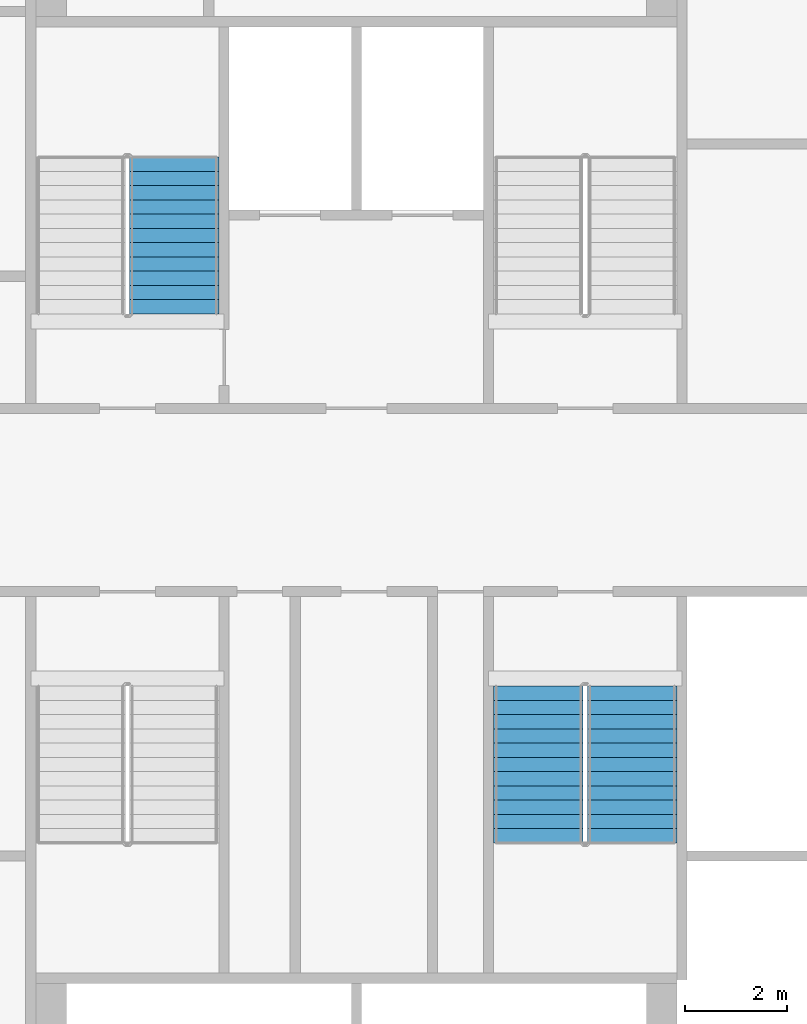
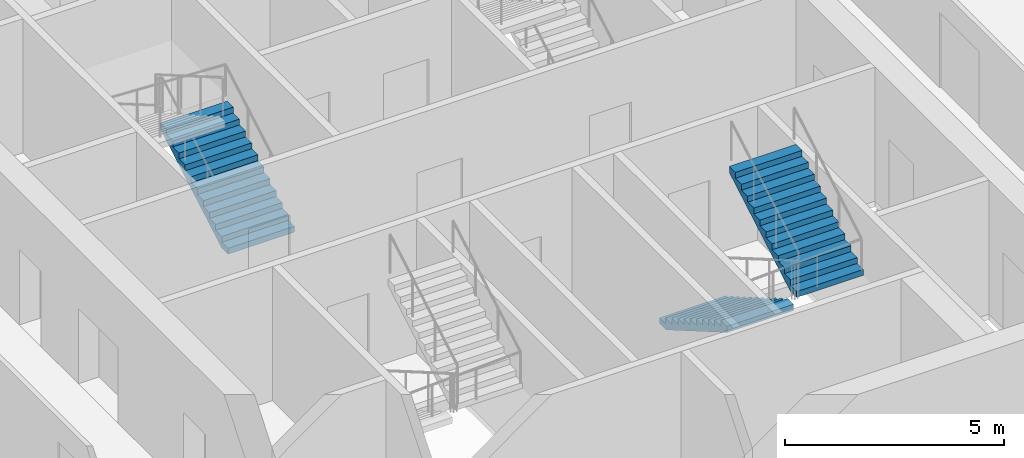
# One storey, part 16 of 22: 3 stair flights, 2 elements without a shape of their own.
"""IFC4 building model written with IfcOpenShell, lengths in metres."""

from ifc_helpers import new_model, si_unit, direction, frame, origin, place, context, subcontext, project, spatial, faceted_brep, material, type_object, element, aggregate, save


model = new_model("IFC4")

# Units and contexts
model_context = context("Model", 3, precision=1e-05, world=origin(), true_north=direction((0.0, 1.0)))
body_context = subcontext(model_context, "Body", "Model", "MODEL_VIEW")
ifc_project = project(units=[si_unit("LENGTHUNIT", "METRE"), si_unit("AREAUNIT", "SQUARE_METRE"), si_unit("VOLUMEUNIT", "CUBIC_METRE"), si_unit("PLANEANGLEUNIT", "RADIAN"), si_unit("MASSUNIT", "GRAM", prefix="KILO")], contexts=[model_context])

# Site, building, storey
site_placement = place(None, origin())
site = spatial("IfcSite", under=ifc_project, at=site_placement, CompositionType="ELEMENT")
building_placement = place(site_placement, origin())
building = spatial("IfcBuilding", under=site, at=building_placement, Name="Tarsis Ring Headquarters", CompositionType="ELEMENT")
storey_placement = place(building_placement, frame((0.0, 0.0, 200.39990234375)))
storey = spatial("IfcBuildingStorey", under=building, at=storey_placement, Name="L46", CompositionType="ELEMENT", Elevation=200.39990234375)

# Stair, stair flight
ifc_material_1 = material(Name="Core stair 1760")
stair_type = type_object("IfcStairType", Name="Core stair 1760", PredefinedType="HALF_TURN_STAIR", material=ifc_material_1)
stair_1_placement = place(storey_placement, origin())
stair_1 = element("IfcStair", 1, at=stair_1_placement, inside=storey, type_object=stair_type, Name="L46 Firefighting stair", PredefinedType="HALF_TURN_STAIR")
ifc_material_2 = material(Name="Concrete C40/50", Category="concrete")
stair_flight_type = type_object("IfcStairFlightType", Name="Core stair flight 1760", PredefinedType="STRAIGHT", material=ifc_material_2)
stair_flight_1_placement = place(storey_placement, frame((-3.580078125, 3.659912109375, 0.0), z_axis=(0.0, 0.0, 1.0), x_axis=(0.0, 1.0, 0.0)))
stair_flight_1 = element("IfcStairFlight", 2, at=stair_flight_1_placement, type_object=stair_flight_type, Name="Stair ST1 flight 1", NumberOfRisers=12, NumberOfTreads=11, PredefinedType="STRAIGHT", RiserHeight=0.1625, TreadLength=0.28, context=body_context, shape_type="Brep", body=[
    faceted_brep([(0.0, 0.8798828125, 0.0), (0.0, 0.8798828125, 0.16259765625), (0.280029296875, 0.8798828125, 0.16259765625), (0.280029296875, 0.8798828125, 0.324951171875), (0.56005859375, 0.8798828125, 0.324951171875), (0.56005859375, 0.8798828125, 0.487548828125), (0.840087890625, 0.8798828125, 0.487548828125), (0.840087890625, 0.8798828125, 0.64990234375), (1.1201171875, 0.8798828125, 0.64990234375), (1.1201171875, 0.8798828125, 0.8125), (1.39990234375, 0.8798828125, 0.8125), (1.39990234375, 0.8798828125, 0.97509765625), (1.679931640625, 0.8798828125, 0.97509765625), (1.679931640625, 0.8798828125, 1.137451171875), (1.9599609375, 0.8798828125, 1.137451171875), (1.9599609375, 0.8798828125, 1.300048828125), (2.239990234375, 0.8798828125, 1.300048828125), (2.239990234375, 0.8798828125, 1.46240234375), (2.52001953125, 0.8798828125, 1.46240234375), (2.52001953125, 0.8798828125, 1.625), (2.800048828125, 0.8798828125, 1.625), (2.800048828125, 0.8798828125, 1.78759765625), (3.080078125, 0.8798828125, 1.78759765625), (3.080078125, 0.8798828125, 1.6142578125), (0.298583984375, 0.8798828125, 0.0), (0.298583984375, -0.8798828125, 0.0), (3.080078125, -0.8798828125, 1.6142578125), (3.080078125, -0.8798828125, 1.78759765625), (2.800048828125, -0.8798828125, 1.78759765625), (2.800048828125, -0.8798828125, 1.625), (2.52001953125, -0.8798828125, 1.625), (2.52001953125, -0.8798828125, 1.46240234375), (2.239990234375, -0.8798828125, 1.46240234375), (2.239990234375, -0.8798828125, 1.300048828125), (1.9599609375, -0.8798828125, 1.300048828125), (1.9599609375, -0.8798828125, 1.137451171875), (1.679931640625, -0.8798828125, 1.137451171875), (1.679931640625, -0.8798828125, 0.97509765625), (1.39990234375, -0.8798828125, 0.97509765625), (1.39990234375, -0.8798828125, 0.8125), (1.1201171875, -0.8798828125, 0.8125), (1.1201171875, -0.8798828125, 0.64990234375), (0.840087890625, -0.8798828125, 0.64990234375), (0.840087890625, -0.8798828125, 0.487548828125), (0.56005859375, -0.8798828125, 0.487548828125), (0.56005859375, -0.8798828125, 0.324951171875), (0.280029296875, -0.8798828125, 0.324951171875), (0.280029296875, -0.8798828125, 0.16259765625), (0.0, -0.8798828125, 0.16259765625), (0.0, -0.8798828125, 0.0), (0.0, -0.43994140625, 0.16259765625), (0.0, -0.43994140625, 0.0), (0.0, 0.0, 0.16259765625), (0.0, 0.0, 0.0), (0.0, 0.43994140625, 0.16259765625), (0.0, 0.43994140625, 0.0), (0.280029296875, -0.43994140625, 0.16259765625), (0.280029296875, 0.0, 0.16259765625), (0.280029296875, 0.43994140625, 0.16259765625), (0.280029296875, -0.43994140625, 0.324951171875), (0.280029296875, 0.0, 0.324951171875), (0.280029296875, 0.43994140625, 0.324951171875), (0.56005859375, -0.43994140625, 0.324951171875), (0.56005859375, 0.0, 0.324951171875), (0.56005859375, 0.43994140625, 0.324951171875), (0.56005859375, -0.43994140625, 0.487548828125), (0.56005859375, 0.0, 0.487548828125), (0.56005859375, 0.43994140625, 0.487548828125), (0.840087890625, -0.43994140625, 0.487548828125), (0.840087890625, 0.0, 0.487548828125), (0.840087890625, 0.43994140625, 0.487548828125), (0.840087890625, -0.43994140625, 0.64990234375), (0.840087890625, 0.0, 0.64990234375), (0.840087890625, 0.43994140625, 0.64990234375), (1.1201171875, -0.43994140625, 0.64990234375), (1.1201171875, 0.0, 0.64990234375), (1.1201171875, 0.43994140625, 0.64990234375), (1.1201171875, -0.43994140625, 0.8125), (1.1201171875, 0.0, 0.8125), (1.1201171875, 0.43994140625, 0.8125), (1.39990234375, -0.43994140625, 0.8125), (1.39990234375, 0.0, 0.8125), (1.39990234375, 0.43994140625, 0.8125), (1.39990234375, -0.43994140625, 0.97509765625), (1.39990234375, 0.0, 0.97509765625), (1.39990234375, 0.43994140625, 0.97509765625), (1.679931640625, -0.43994140625, 0.97509765625), (1.679931640625, 0.0, 0.97509765625), (1.679931640625, 0.43994140625, 0.97509765625), (1.679931640625, -0.43994140625, 1.137451171875), (1.679931640625, 0.0, 1.137451171875), (1.679931640625, 0.43994140625, 1.137451171875), (1.9599609375, -0.43994140625, 1.137451171875), (1.9599609375, 0.0, 1.137451171875), (1.9599609375, 0.43994140625, 1.137451171875), (1.9599609375, -0.43994140625, 1.300048828125), (1.9599609375, 0.0, 1.300048828125), (1.9599609375, 0.43994140625, 1.300048828125), (2.239990234375, -0.43994140625, 1.300048828125), (2.239990234375, 0.0, 1.300048828125), (2.239990234375, 0.43994140625, 1.300048828125), (2.239990234375, -0.43994140625, 1.46240234375), (2.239990234375, 0.0, 1.46240234375), (2.239990234375, 0.43994140625, 1.46240234375), (2.52001953125, -0.43994140625, 1.46240234375), (2.52001953125, 0.0, 1.46240234375), (2.52001953125, 0.43994140625, 1.46240234375), (2.52001953125, -0.43994140625, 1.625), (2.52001953125, 0.0, 1.625), (2.52001953125, 0.43994140625, 1.625), (2.800048828125, -0.43994140625, 1.625), (2.800048828125, 0.0, 1.625), (2.800048828125, 0.43994140625, 1.625), (2.800048828125, -0.43994140625, 1.78759765625), (2.800048828125, 0.0, 1.78759765625), (2.800048828125, 0.43994140625, 1.78759765625), (3.080078125, -0.43994140625, 1.78759765625), (3.080078125, 0.0, 1.78759765625), (3.080078125, 0.43994140625, 1.78759765625), (3.080078125, -0.43994140625, 1.6142578125), (3.080078125, 0.0, 1.6142578125), (3.080078125, 0.43994140625, 1.6142578125), (0.298583984375, -0.43994140625, 0.0), (0.298583984375, 0.0, 0.0), (0.298583984375, 0.43994140625, 0.0)], [[[0, 1, 2, 3, 4, 5, 6, 7, 8, 9, 10, 11, 12, 13, 14, 15, 16, 17, 18, 19, 20, 21, 22, 23, 24]], [[25, 26, 27, 28, 29, 30, 31, 32, 33, 34, 35, 36, 37, 38, 39, 40, 41, 42, 43, 44, 45, 46, 47, 48, 49]], [[49, 48, 50, 51]], [[51, 50, 52, 53]], [[53, 52, 54, 55]], [[55, 54, 1, 0]], [[48, 47, 56, 50]], [[50, 56, 57, 52]], [[52, 57, 58, 54]], [[54, 58, 2, 1]], [[47, 46, 59, 56]], [[56, 59, 60, 57]], [[57, 60, 61, 58]], [[58, 61, 3, 2]], [[46, 45, 62, 59]], [[59, 62, 63, 60]], [[60, 63, 64, 61]], [[61, 64, 4, 3]], [[45, 44, 65, 62]], [[62, 65, 66, 63]], [[63, 66, 67, 64]], [[64, 67, 5, 4]], [[44, 43, 68, 65]], [[65, 68, 69, 66]], [[66, 69, 70, 67]], [[67, 70, 6, 5]], [[43, 42, 71, 68]], [[68, 71, 72, 69]], [[69, 72, 73, 70]], [[70, 73, 7, 6]], [[42, 41, 74, 71]], [[71, 74, 75, 72]], [[72, 75, 76, 73]], [[73, 76, 8, 7]], [[41, 40, 77, 74]], [[74, 77, 78, 75]], [[75, 78, 79, 76]], [[76, 79, 9, 8]], [[40, 39, 80, 77]], [[77, 80, 81, 78]], [[78, 81, 82, 79]], [[79, 82, 10, 9]], [[39, 38, 83, 80]], [[80, 83, 84, 81]], [[81, 84, 85, 82]], [[82, 85, 11, 10]], [[38, 37, 86, 83]], [[83, 86, 87, 84]], [[84, 87, 88, 85]], [[85, 88, 12, 11]], [[37, 36, 89, 86]], [[86, 89, 90, 87]], [[87, 90, 91, 88]], [[88, 91, 13, 12]], [[36, 35, 92, 89]], [[89, 92, 93, 90]], [[90, 93, 94, 91]], [[91, 94, 14, 13]], [[35, 34, 95, 92]], [[92, 95, 96, 93]], [[93, 96, 97, 94]], [[94, 97, 15, 14]], [[34, 33, 98, 95]], [[95, 98, 99, 96]], [[96, 99, 100, 97]], [[97, 100, 16, 15]], [[33, 32, 101, 98]], [[98, 101, 102, 99]], [[99, 102, 103, 100]], [[100, 103, 17, 16]], [[32, 31, 104, 101]], [[101, 104, 105, 102]], [[102, 105, 106, 103]], [[103, 106, 18, 17]], [[31, 30, 107, 104]], [[104, 107, 108, 105]], [[105, 108, 109, 106]], [[106, 109, 19, 18]], [[30, 29, 110, 107]], [[107, 110, 111, 108]], [[108, 111, 112, 109]], [[109, 112, 20, 19]], [[29, 28, 113, 110]], [[110, 113, 114, 111]], [[111, 114, 115, 112]], [[112, 115, 21, 20]], [[28, 27, 116, 113]], [[113, 116, 117, 114]], [[114, 117, 118, 115]], [[115, 118, 22, 21]], [[27, 26, 119, 116]], [[116, 119, 120, 117]], [[117, 120, 121, 118]], [[118, 121, 23, 22]], [[26, 25, 122, 119]], [[119, 122, 123, 120]], [[120, 123, 124, 121]], [[121, 124, 24, 23]], [[25, 49, 51, 122]], [[122, 51, 53, 123]], [[123, 53, 55, 124]], [[124, 55, 0, 24]]]),
])
aggregate(stair_1, [stair_flight_1])

# Stair, stair flights
stair_2_placement = place(storey_placement, origin())
stair_2 = element("IfcStair", 3, at=stair_2_placement, inside=storey, type_object=stair_type, Name="L46 Exit stair D", PredefinedType="HALF_TURN_STAIR")
stair_flight_2_placement = place(storey_placement, frame((3.580078125, -3.659912109375, 0.0), z_axis=(0.0, 0.0, 1.0), x_axis=(0.0, -1.0, 0.0)))
stair_flight_2 = element("IfcStairFlight", 4, at=stair_flight_2_placement, type_object=stair_flight_type, Name="Stair ST4 flight 1", NumberOfRisers=12, NumberOfTreads=11, PredefinedType="STRAIGHT", RiserHeight=0.1625, TreadLength=0.28, context=body_context, shape_type="Brep", body=[
    faceted_brep([(0.0, 0.8798828125, 0.0), (0.0, 0.8798828125, 0.16259765625), (0.280029296875, 0.8798828125, 0.16259765625), (0.280029296875, 0.8798828125, 0.324951171875), (0.56005859375, 0.8798828125, 0.324951171875), (0.56005859375, 0.8798828125, 0.487548828125), (0.840087890625, 0.8798828125, 0.487548828125), (0.840087890625, 0.8798828125, 0.64990234375), (1.1201171875, 0.8798828125, 0.64990234375), (1.1201171875, 0.8798828125, 0.8125), (1.39990234375, 0.8798828125, 0.8125), (1.39990234375, 0.8798828125, 0.97509765625), (1.679931640625, 0.8798828125, 0.97509765625), (1.679931640625, 0.8798828125, 1.137451171875), (1.9599609375, 0.8798828125, 1.137451171875), (1.9599609375, 0.8798828125, 1.300048828125), (2.239990234375, 0.8798828125, 1.300048828125), (2.239990234375, 0.8798828125, 1.46240234375), (2.52001953125, 0.8798828125, 1.46240234375), (2.52001953125, 0.8798828125, 1.625), (2.800048828125, 0.8798828125, 1.625), (2.800048828125, 0.8798828125, 1.78759765625), (3.080078125, 0.8798828125, 1.78759765625), (3.080078125, 0.8798828125, 1.6142578125), (0.298583984375, 0.8798828125, 0.0), (0.298583984375, -0.8798828125, 0.0), (3.080078125, -0.8798828125, 1.6142578125), (3.080078125, -0.8798828125, 1.78759765625), (2.800048828125, -0.8798828125, 1.78759765625), (2.800048828125, -0.8798828125, 1.625), (2.52001953125, -0.8798828125, 1.625), (2.52001953125, -0.8798828125, 1.46240234375), (2.239990234375, -0.8798828125, 1.46240234375), (2.239990234375, -0.8798828125, 1.300048828125), (1.9599609375, -0.8798828125, 1.300048828125), (1.9599609375, -0.8798828125, 1.137451171875), (1.679931640625, -0.8798828125, 1.137451171875), (1.679931640625, -0.8798828125, 0.97509765625), (1.39990234375, -0.8798828125, 0.97509765625), (1.39990234375, -0.8798828125, 0.8125), (1.1201171875, -0.8798828125, 0.8125), (1.1201171875, -0.8798828125, 0.64990234375), (0.840087890625, -0.8798828125, 0.64990234375), (0.840087890625, -0.8798828125, 0.487548828125), (0.56005859375, -0.8798828125, 0.487548828125), (0.56005859375, -0.8798828125, 0.324951171875), (0.280029296875, -0.8798828125, 0.324951171875), (0.280029296875, -0.8798828125, 0.16259765625), (0.0, -0.8798828125, 0.16259765625), (0.0, -0.8798828125, 0.0), (0.0, -0.43994140625, 0.16259765625), (0.0, -0.43994140625, 0.0), (0.0, 0.0, 0.16259765625), (0.0, 0.0, 0.0), (0.0, 0.43994140625, 0.16259765625), (0.0, 0.43994140625, 0.0), (0.280029296875, -0.43994140625, 0.16259765625), (0.280029296875, 0.0, 0.16259765625), (0.280029296875, 0.43994140625, 0.16259765625), (0.280029296875, -0.43994140625, 0.324951171875), (0.280029296875, 0.0, 0.324951171875), (0.280029296875, 0.43994140625, 0.324951171875), (0.56005859375, -0.43994140625, 0.324951171875), (0.56005859375, 0.0, 0.324951171875), (0.56005859375, 0.43994140625, 0.324951171875), (0.56005859375, -0.43994140625, 0.487548828125), (0.56005859375, 0.0, 0.487548828125), (0.56005859375, 0.43994140625, 0.487548828125), (0.840087890625, -0.43994140625, 0.487548828125), (0.840087890625, 0.0, 0.487548828125), (0.840087890625, 0.43994140625, 0.487548828125), (0.840087890625, -0.43994140625, 0.64990234375), (0.840087890625, 0.0, 0.64990234375), (0.840087890625, 0.43994140625, 0.64990234375), (1.1201171875, -0.43994140625, 0.64990234375), (1.1201171875, 0.0, 0.64990234375), (1.1201171875, 0.43994140625, 0.64990234375), (1.1201171875, -0.43994140625, 0.8125), (1.1201171875, 0.0, 0.8125), (1.1201171875, 0.43994140625, 0.8125), (1.39990234375, -0.43994140625, 0.8125), (1.39990234375, 0.0, 0.8125), (1.39990234375, 0.43994140625, 0.8125), (1.39990234375, -0.43994140625, 0.97509765625), (1.39990234375, 0.0, 0.97509765625), (1.39990234375, 0.43994140625, 0.97509765625), (1.679931640625, -0.43994140625, 0.97509765625), (1.679931640625, 0.0, 0.97509765625), (1.679931640625, 0.43994140625, 0.97509765625), (1.679931640625, -0.43994140625, 1.137451171875), (1.679931640625, 0.0, 1.137451171875), (1.679931640625, 0.43994140625, 1.137451171875), (1.9599609375, -0.43994140625, 1.137451171875), (1.9599609375, 0.0, 1.137451171875), (1.9599609375, 0.43994140625, 1.137451171875), (1.9599609375, -0.43994140625, 1.300048828125), (1.9599609375, 0.0, 1.300048828125), (1.9599609375, 0.43994140625, 1.300048828125), (2.239990234375, -0.43994140625, 1.300048828125), (2.239990234375, 0.0, 1.300048828125), (2.239990234375, 0.43994140625, 1.300048828125), (2.239990234375, -0.43994140625, 1.46240234375), (2.239990234375, 0.0, 1.46240234375), (2.239990234375, 0.43994140625, 1.46240234375), (2.52001953125, -0.43994140625, 1.46240234375), (2.52001953125, 0.0, 1.46240234375), (2.52001953125, 0.43994140625, 1.46240234375), (2.52001953125, -0.43994140625, 1.625), (2.52001953125, 0.0, 1.625), (2.52001953125, 0.43994140625, 1.625), (2.800048828125, -0.43994140625, 1.625), (2.800048828125, 0.0, 1.625), (2.800048828125, 0.43994140625, 1.625), (2.800048828125, -0.43994140625, 1.78759765625), (2.800048828125, 0.0, 1.78759765625), (2.800048828125, 0.43994140625, 1.78759765625), (3.080078125, -0.43994140625, 1.78759765625), (3.080078125, 0.0, 1.78759765625), (3.080078125, 0.43994140625, 1.78759765625), (3.080078125, -0.43994140625, 1.6142578125), (3.080078125, 0.0, 1.6142578125), (3.080078125, 0.43994140625, 1.6142578125), (0.298583984375, -0.43994140625, 0.0), (0.298583984375, 0.0, 0.0), (0.298583984375, 0.43994140625, 0.0)], [[[0, 1, 2, 3, 4, 5, 6, 7, 8, 9, 10, 11, 12, 13, 14, 15, 16, 17, 18, 19, 20, 21, 22, 23, 24]], [[25, 26, 27, 28, 29, 30, 31, 32, 33, 34, 35, 36, 37, 38, 39, 40, 41, 42, 43, 44, 45, 46, 47, 48, 49]], [[49, 48, 50, 51]], [[51, 50, 52, 53]], [[53, 52, 54, 55]], [[55, 54, 1, 0]], [[48, 47, 56, 50]], [[50, 56, 57, 52]], [[52, 57, 58, 54]], [[54, 58, 2, 1]], [[47, 46, 59, 56]], [[56, 59, 60, 57]], [[57, 60, 61, 58]], [[58, 61, 3, 2]], [[46, 45, 62, 59]], [[59, 62, 63, 60]], [[60, 63, 64, 61]], [[61, 64, 4, 3]], [[45, 44, 65, 62]], [[62, 65, 66, 63]], [[63, 66, 67, 64]], [[64, 67, 5, 4]], [[44, 43, 68, 65]], [[65, 68, 69, 66]], [[66, 69, 70, 67]], [[67, 70, 6, 5]], [[43, 42, 71, 68]], [[68, 71, 72, 69]], [[69, 72, 73, 70]], [[70, 73, 7, 6]], [[42, 41, 74, 71]], [[71, 74, 75, 72]], [[72, 75, 76, 73]], [[73, 76, 8, 7]], [[41, 40, 77, 74]], [[74, 77, 78, 75]], [[75, 78, 79, 76]], [[76, 79, 9, 8]], [[40, 39, 80, 77]], [[77, 80, 81, 78]], [[78, 81, 82, 79]], [[79, 82, 10, 9]], [[39, 38, 83, 80]], [[80, 83, 84, 81]], [[81, 84, 85, 82]], [[82, 85, 11, 10]], [[38, 37, 86, 83]], [[83, 86, 87, 84]], [[84, 87, 88, 85]], [[85, 88, 12, 11]], [[37, 36, 89, 86]], [[86, 89, 90, 87]], [[87, 90, 91, 88]], [[88, 91, 13, 12]], [[36, 35, 92, 89]], [[89, 92, 93, 90]], [[90, 93, 94, 91]], [[91, 94, 14, 13]], [[35, 34, 95, 92]], [[92, 95, 96, 93]], [[93, 96, 97, 94]], [[94, 97, 15, 14]], [[34, 33, 98, 95]], [[95, 98, 99, 96]], [[96, 99, 100, 97]], [[97, 100, 16, 15]], [[33, 32, 101, 98]], [[98, 101, 102, 99]], [[99, 102, 103, 100]], [[100, 103, 17, 16]], [[32, 31, 104, 101]], [[101, 104, 105, 102]], [[102, 105, 106, 103]], [[103, 106, 18, 17]], [[31, 30, 107, 104]], [[104, 107, 108, 105]], [[105, 108, 109, 106]], [[106, 109, 19, 18]], [[30, 29, 110, 107]], [[107, 110, 111, 108]], [[108, 111, 112, 109]], [[109, 112, 20, 19]], [[29, 28, 113, 110]], [[110, 113, 114, 111]], [[111, 114, 115, 112]], [[112, 115, 21, 20]], [[28, 27, 116, 113]], [[113, 116, 117, 114]], [[114, 117, 118, 115]], [[115, 118, 22, 21]], [[27, 26, 119, 116]], [[116, 119, 120, 117]], [[117, 120, 121, 118]], [[118, 121, 23, 22]], [[26, 25, 122, 119]], [[119, 122, 123, 120]], [[120, 123, 124, 121]], [[121, 124, 24, 23]], [[25, 49, 51, 122]], [[122, 51, 53, 123]], [[123, 53, 55, 124]], [[124, 55, 0, 24]]]),
])
stair_flight_3_placement = place(storey_placement, frame((5.419921875, -6.739990234375, 1.9501953125), z_axis=(0.0, 0.0, 1.0), x_axis=(0.0, 1.0, 0.0)))
stair_flight_3 = element("IfcStairFlight", 5, at=stair_flight_3_placement, type_object=stair_flight_type, Name="Stair ST4 flight 2", NumberOfRisers=12, NumberOfTreads=11, PredefinedType="STRAIGHT", RiserHeight=0.1625, TreadLength=0.28, context=body_context, shape_type="Brep", body=[
    faceted_brep([(0.0, 0.8798828125, 0.0), (0.0, 0.8798828125, 0.16259765625), (0.280029296875, 0.8798828125, 0.16259765625), (0.280029296875, 0.8798828125, 0.324951171875), (0.56005859375, 0.8798828125, 0.324951171875), (0.56005859375, 0.8798828125, 0.487548828125), (0.840087890625, 0.8798828125, 0.487548828125), (0.840087890625, 0.8798828125, 0.64990234375), (1.1201171875, 0.8798828125, 0.64990234375), (1.1201171875, 0.8798828125, 0.8125), (1.39990234375, 0.8798828125, 0.8125), (1.39990234375, 0.8798828125, 0.97509765625), (1.679931640625, 0.8798828125, 0.97509765625), (1.679931640625, 0.8798828125, 1.137451171875), (1.9599609375, 0.8798828125, 1.137451171875), (1.9599609375, 0.8798828125, 1.300048828125), (2.239990234375, 0.8798828125, 1.300048828125), (2.239990234375, 0.8798828125, 1.46240234375), (2.52001953125, 0.8798828125, 1.46240234375), (2.52001953125, 0.8798828125, 1.625), (2.800048828125, 0.8798828125, 1.625), (2.800048828125, 0.8798828125, 1.78759765625), (3.080078125, 0.8798828125, 1.78759765625), (3.080078125, 0.8798828125, 1.6142578125), (0.298583984375, 0.8798828125, 0.0), (0.298583984375, -0.8798828125, 0.0), (3.080078125, -0.8798828125, 1.6142578125), (3.080078125, -0.8798828125, 1.78759765625), (2.800048828125, -0.8798828125, 1.78759765625), (2.800048828125, -0.8798828125, 1.625), (2.52001953125, -0.8798828125, 1.625), (2.52001953125, -0.8798828125, 1.46240234375), (2.239990234375, -0.8798828125, 1.46240234375), (2.239990234375, -0.8798828125, 1.300048828125), (1.9599609375, -0.8798828125, 1.300048828125), (1.9599609375, -0.8798828125, 1.137451171875), (1.679931640625, -0.8798828125, 1.137451171875), (1.679931640625, -0.8798828125, 0.97509765625), (1.39990234375, -0.8798828125, 0.97509765625), (1.39990234375, -0.8798828125, 0.8125), (1.1201171875, -0.8798828125, 0.8125), (1.1201171875, -0.8798828125, 0.64990234375), (0.840087890625, -0.8798828125, 0.64990234375), (0.840087890625, -0.8798828125, 0.487548828125), (0.56005859375, -0.8798828125, 0.487548828125), (0.56005859375, -0.8798828125, 0.324951171875), (0.280029296875, -0.8798828125, 0.324951171875), (0.280029296875, -0.8798828125, 0.16259765625), (0.0, -0.8798828125, 0.16259765625), (0.0, -0.8798828125, 0.0), (0.0, -0.43994140625, 0.16259765625), (0.0, -0.43994140625, 0.0), (0.0, 0.0, 0.16259765625), (0.0, 0.0, 0.0), (0.0, 0.43994140625, 0.16259765625), (0.0, 0.43994140625, 0.0), (0.280029296875, -0.43994140625, 0.16259765625), (0.280029296875, 0.0, 0.16259765625), (0.280029296875, 0.43994140625, 0.16259765625), (0.280029296875, -0.43994140625, 0.324951171875), (0.280029296875, 0.0, 0.324951171875), (0.280029296875, 0.43994140625, 0.324951171875), (0.56005859375, -0.43994140625, 0.324951171875), (0.56005859375, 0.0, 0.324951171875), (0.56005859375, 0.43994140625, 0.324951171875), (0.56005859375, -0.43994140625, 0.487548828125), (0.56005859375, 0.0, 0.487548828125), (0.56005859375, 0.43994140625, 0.487548828125), (0.840087890625, -0.43994140625, 0.487548828125), (0.840087890625, 0.0, 0.487548828125), (0.840087890625, 0.43994140625, 0.487548828125), (0.840087890625, -0.43994140625, 0.64990234375), (0.840087890625, 0.0, 0.64990234375), (0.840087890625, 0.43994140625, 0.64990234375), (1.1201171875, -0.43994140625, 0.64990234375), (1.1201171875, 0.0, 0.64990234375), (1.1201171875, 0.43994140625, 0.64990234375), (1.1201171875, -0.43994140625, 0.8125), (1.1201171875, 0.0, 0.8125), (1.1201171875, 0.43994140625, 0.8125), (1.39990234375, -0.43994140625, 0.8125), (1.39990234375, 0.0, 0.8125), (1.39990234375, 0.43994140625, 0.8125), (1.39990234375, -0.43994140625, 0.97509765625), (1.39990234375, 0.0, 0.97509765625), (1.39990234375, 0.43994140625, 0.97509765625), (1.679931640625, -0.43994140625, 0.97509765625), (1.679931640625, 0.0, 0.97509765625), (1.679931640625, 0.43994140625, 0.97509765625), (1.679931640625, -0.43994140625, 1.137451171875), (1.679931640625, 0.0, 1.137451171875), (1.679931640625, 0.43994140625, 1.137451171875), (1.9599609375, -0.43994140625, 1.137451171875), (1.9599609375, 0.0, 1.137451171875), (1.9599609375, 0.43994140625, 1.137451171875), (1.9599609375, -0.43994140625, 1.300048828125), (1.9599609375, 0.0, 1.300048828125), (1.9599609375, 0.43994140625, 1.300048828125), (2.239990234375, -0.43994140625, 1.300048828125), (2.239990234375, 0.0, 1.300048828125), (2.239990234375, 0.43994140625, 1.300048828125), (2.239990234375, -0.43994140625, 1.46240234375), (2.239990234375, 0.0, 1.46240234375), (2.239990234375, 0.43994140625, 1.46240234375), (2.52001953125, -0.43994140625, 1.46240234375), (2.52001953125, 0.0, 1.46240234375), (2.52001953125, 0.43994140625, 1.46240234375), (2.52001953125, -0.43994140625, 1.625), (2.52001953125, 0.0, 1.625), (2.52001953125, 0.43994140625, 1.625), (2.800048828125, -0.43994140625, 1.625), (2.800048828125, 0.0, 1.625), (2.800048828125, 0.43994140625, 1.625), (2.800048828125, -0.43994140625, 1.78759765625), (2.800048828125, 0.0, 1.78759765625), (2.800048828125, 0.43994140625, 1.78759765625), (3.080078125, -0.43994140625, 1.78759765625), (3.080078125, 0.0, 1.78759765625), (3.080078125, 0.43994140625, 1.78759765625), (3.080078125, -0.43994140625, 1.6142578125), (3.080078125, 0.0, 1.6142578125), (3.080078125, 0.43994140625, 1.6142578125), (0.298583984375, -0.43994140625, 0.0), (0.298583984375, 0.0, 0.0), (0.298583984375, 0.43994140625, 0.0)], [[[0, 1, 2, 3, 4, 5, 6, 7, 8, 9, 10, 11, 12, 13, 14, 15, 16, 17, 18, 19, 20, 21, 22, 23, 24]], [[25, 26, 27, 28, 29, 30, 31, 32, 33, 34, 35, 36, 37, 38, 39, 40, 41, 42, 43, 44, 45, 46, 47, 48, 49]], [[49, 48, 50, 51]], [[51, 50, 52, 53]], [[53, 52, 54, 55]], [[55, 54, 1, 0]], [[48, 47, 56, 50]], [[50, 56, 57, 52]], [[52, 57, 58, 54]], [[54, 58, 2, 1]], [[47, 46, 59, 56]], [[56, 59, 60, 57]], [[57, 60, 61, 58]], [[58, 61, 3, 2]], [[46, 45, 62, 59]], [[59, 62, 63, 60]], [[60, 63, 64, 61]], [[61, 64, 4, 3]], [[45, 44, 65, 62]], [[62, 65, 66, 63]], [[63, 66, 67, 64]], [[64, 67, 5, 4]], [[44, 43, 68, 65]], [[65, 68, 69, 66]], [[66, 69, 70, 67]], [[67, 70, 6, 5]], [[43, 42, 71, 68]], [[68, 71, 72, 69]], [[69, 72, 73, 70]], [[70, 73, 7, 6]], [[42, 41, 74, 71]], [[71, 74, 75, 72]], [[72, 75, 76, 73]], [[73, 76, 8, 7]], [[41, 40, 77, 74]], [[74, 77, 78, 75]], [[75, 78, 79, 76]], [[76, 79, 9, 8]], [[40, 39, 80, 77]], [[77, 80, 81, 78]], [[78, 81, 82, 79]], [[79, 82, 10, 9]], [[39, 38, 83, 80]], [[80, 83, 84, 81]], [[81, 84, 85, 82]], [[82, 85, 11, 10]], [[38, 37, 86, 83]], [[83, 86, 87, 84]], [[84, 87, 88, 85]], [[85, 88, 12, 11]], [[37, 36, 89, 86]], [[86, 89, 90, 87]], [[87, 90, 91, 88]], [[88, 91, 13, 12]], [[36, 35, 92, 89]], [[89, 92, 93, 90]], [[90, 93, 94, 91]], [[91, 94, 14, 13]], [[35, 34, 95, 92]], [[92, 95, 96, 93]], [[93, 96, 97, 94]], [[94, 97, 15, 14]], [[34, 33, 98, 95]], [[95, 98, 99, 96]], [[96, 99, 100, 97]], [[97, 100, 16, 15]], [[33, 32, 101, 98]], [[98, 101, 102, 99]], [[99, 102, 103, 100]], [[100, 103, 17, 16]], [[32, 31, 104, 101]], [[101, 104, 105, 102]], [[102, 105, 106, 103]], [[103, 106, 18, 17]], [[31, 30, 107, 104]], [[104, 107, 108, 105]], [[105, 108, 109, 106]], [[106, 109, 19, 18]], [[30, 29, 110, 107]], [[107, 110, 111, 108]], [[108, 111, 112, 109]], [[109, 112, 20, 19]], [[29, 28, 113, 110]], [[110, 113, 114, 111]], [[111, 114, 115, 112]], [[112, 115, 21, 20]], [[28, 27, 116, 113]], [[113, 116, 117, 114]], [[114, 117, 118, 115]], [[115, 118, 22, 21]], [[27, 26, 119, 116]], [[116, 119, 120, 117]], [[117, 120, 121, 118]], [[118, 121, 23, 22]], [[26, 25, 122, 119]], [[119, 122, 123, 120]], [[120, 123, 124, 121]], [[121, 124, 24, 23]], [[25, 49, 51, 122]], [[122, 51, 53, 123]], [[123, 53, 55, 124]], [[124, 55, 0, 24]]]),
])
aggregate(stair_2, [stair_flight_2, stair_flight_3])

save(model, "model.ifc")
